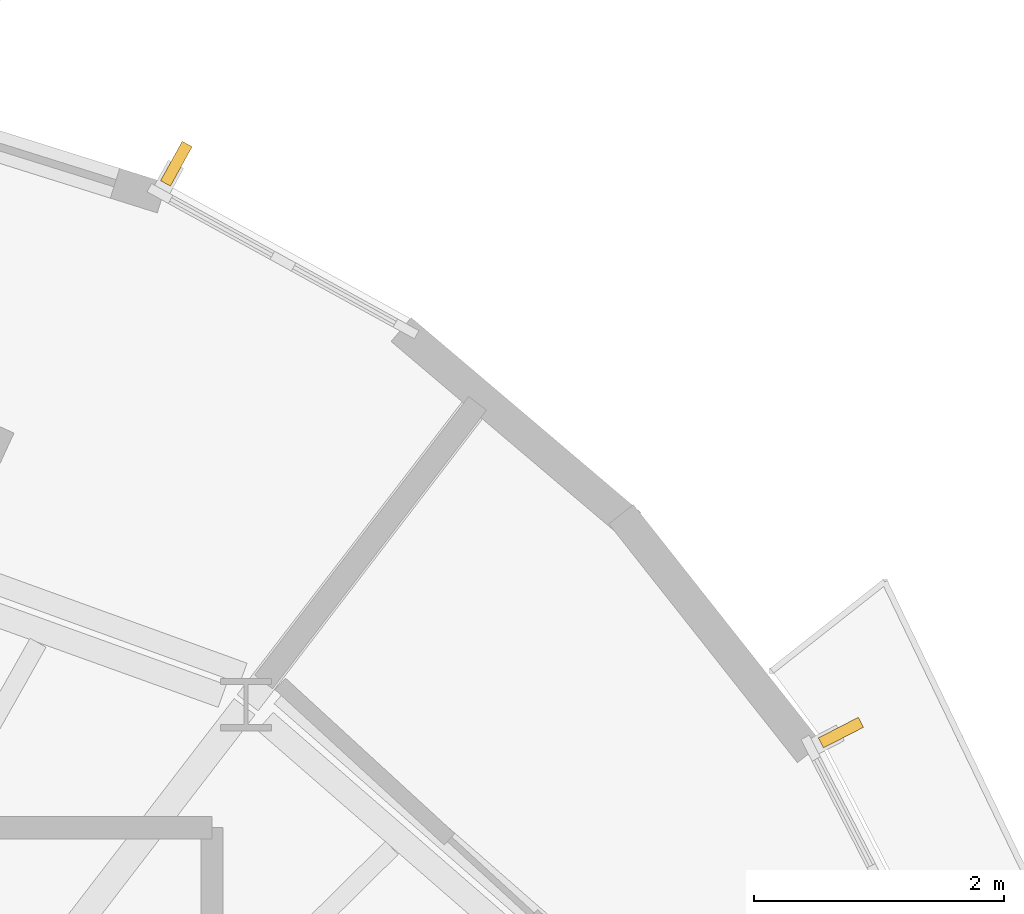
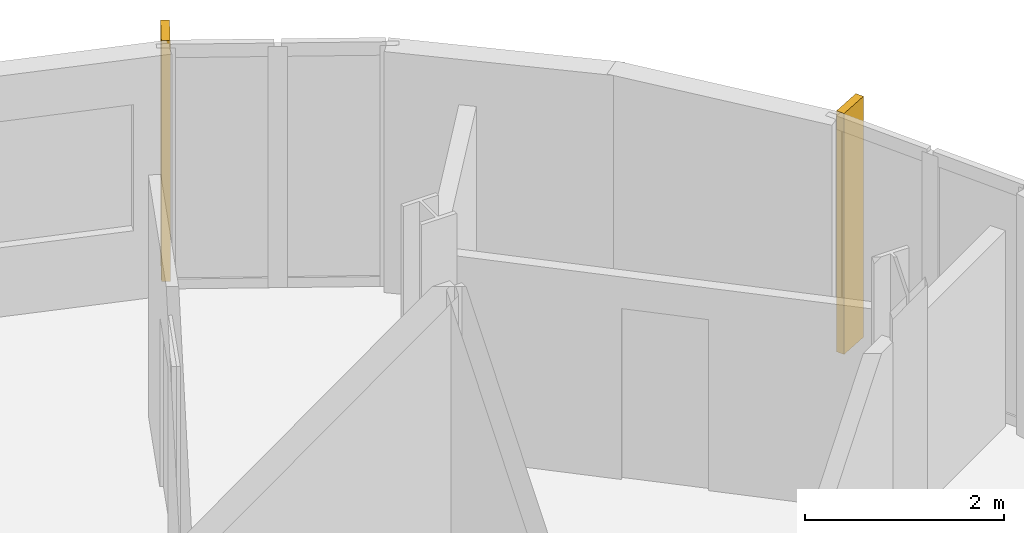
# One storey, part 11 of 11: 2 shading devices.
"""IFC4 building model written with IfcOpenShell, lengths in metres."""

from ifc_helpers import new_model, si_unit, direction, frame, origin, origin_2d, place, context, subcontext, project, spatial, rectangle, extrude, material, layer, layer_set, type_object, element, save


model = new_model("IFC4")

# Units and contexts
model_context = context("Model", 3, precision=1e-05, world=origin(), true_north=direction((0.0, 1.0)))
body_context = subcontext(model_context, "Body", "Model", "MODEL_VIEW")
ifc_project = project(units=[si_unit("LENGTHUNIT", "METRE"), si_unit("AREAUNIT", "SQUARE_METRE"), si_unit("VOLUMEUNIT", "CUBIC_METRE"), si_unit("PLANEANGLEUNIT", "RADIAN"), si_unit("MASSUNIT", "GRAM", prefix="KILO")], contexts=[model_context])

# Site, building, storey
site_placement = place(None, origin())
site = spatial("IfcSite", under=ifc_project, at=site_placement, CompositionType="ELEMENT")
building_placement = place(site_placement, origin())
building = spatial("IfcBuilding", under=site, at=building_placement, Name="Veldorim Arch Residences", CompositionType="ELEMENT")
storey_placement = place(building_placement, frame((0.0, 0.0, 220.639892578125)))
storey = spatial("IfcBuildingStorey", under=building, at=storey_placement, Name="L66", CompositionType="ELEMENT", Elevation=220.639892578125)

# Shading devices
ifc_material = material(Name="Terracotta Ceramic", Category="masonry")
ifc_layer = layer(ifc_material, 0.090087890625, Name="Vertical Extruded Terracotta Baguette Sun-Shading Fin")
ifc_layer_set = layer_set([ifc_layer], Name="Terracotta Ceramic")
shading_device_type = type_object("IfcShadingDeviceType", Name="Vertical Extruded Terracotta Baguette Sun-Shading Fin", PredefinedType="USERDEFINED", material=ifc_layer_set)
for number, where, z_axis, x_axis, name in (
    (1, (38.7744140625, 37.878662109375, 0.000244140625), (0.0, 0.0, 1.0), (0.876222584819, -0.481906611132, 0.0), "L66 vertical terracotta sun-shading fin 01"),
    (2, (44.09765625, 33.321533203125, 0.000244140625), (0.0, 0.0, 1.0), (0.457718745382, -0.889097042019, 0.0), "L66 vertical terracotta sun-shading fin 34"),
):
    element("IfcShadingDevice", number, at=place(storey_placement, frame(where, z_axis=z_axis, x_axis=x_axis)), inside=storey, type_object=shading_device_type, Name=name, ObjectType="FIN", PredefinedType="USERDEFINED", context=body_context, shape_type="SweptSolid", body=[
        extrude(rectangle(XDim=0.090087890625, YDim=0.360107421875, at=origin_2d()), origin(), (0.0, 0.0, 1.0), 2.9599609375),
    ])

save(model, "model.ifc")
